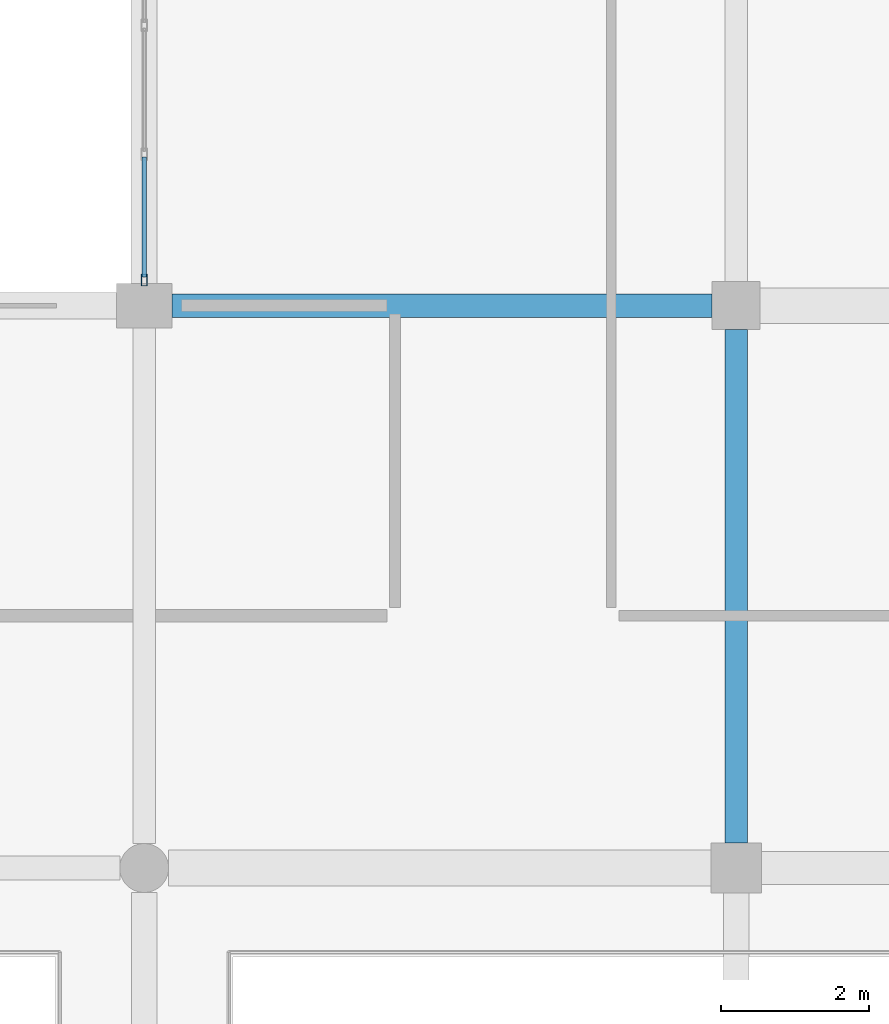
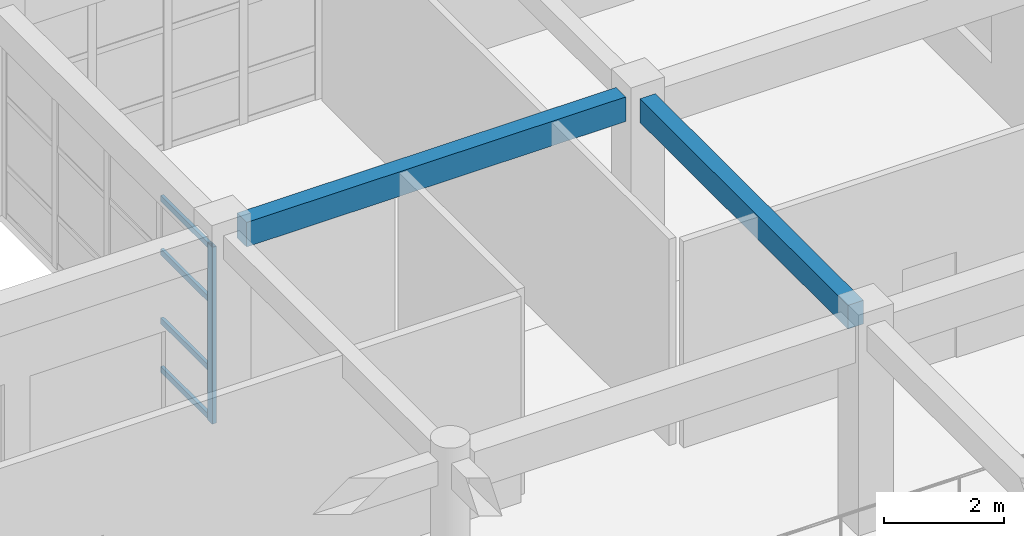
# One storey, part 46 of 160: 5 members, 2 beams, 1 element without a shape of its own.
"""IFC4 building model written with IfcOpenShell, lengths in metres."""

from ifc_helpers import new_model, si_unit, direction, frame, origin, origin_2d, place, context, subcontext, project, spatial, rectangle, hollow_rectangle, extrude, material, material_profile, profile_set, type_object, element, aggregate, save


model = new_model("IFC4")

# Units and contexts
model_context = context("Model", 3, precision=1e-05, world=origin(), true_north=direction((0.0, 1.0)))
body_context = subcontext(model_context, "Body", "Model", "MODEL_VIEW")
ifc_project = project(units=[si_unit("LENGTHUNIT", "METRE"), si_unit("AREAUNIT", "SQUARE_METRE"), si_unit("VOLUMEUNIT", "CUBIC_METRE"), si_unit("PLANEANGLEUNIT", "RADIAN"), si_unit("MASSUNIT", "GRAM", prefix="KILO")], contexts=[model_context])

# Site, building, storey
site_placement = place(None, origin())
site = spatial("IfcSite", under=ifc_project, at=site_placement, CompositionType="ELEMENT")
building_placement = place(site_placement, origin())
building = spatial("IfcBuilding", under=site, at=building_placement, Name="Kharva Crest Polytechnic", CompositionType="ELEMENT")
storey_placement = place(building_placement, frame((0.0, 0.0, 4.5)))
storey = spatial("IfcBuildingStorey", under=building, at=storey_placement, Name="L01", CompositionType="ELEMENT", Elevation=4.5)

# Beams
ifc_material_1 = material(Name="Concrete C35/45", Category="concrete")
ifc_material_profile_1 = material_profile(ifc_material_1, rectangle(XDim=0.300048828125, YDim=0.47998046875, at=origin_2d()), Name="RECT 300 X 480")
ifc_profile_set_1 = profile_set([ifc_material_profile_1], Name="Concrete C35/45")
beam_type_1 = type_object("IfcBeamType", Name="BM-RC-300X480", PredefinedType="BEAM", material=ifc_profile_set_1)
beam_1_placement = place(storey_placement, frame((40.0, 23.139892578125, 3.97998046875), z_axis=(0.0, 1.0, 0.0), x_axis=(-1.0, 0.0, 0.0)))
element("IfcBeam", 1, at=beam_1_placement, inside=storey, type_object=beam_type_1, Name="L01 Girder 6/D-E", PredefinedType="BEAM", context=body_context, shape_type="SweptSolid", body=[
    extrude(rectangle(XDim=0.300048828125, YDim=0.47998046875, at=origin_2d()), origin(), (0.0, 0.0, 1.0), 6.93505859375),
])
ifc_material_profile_2 = material_profile(ifc_material_1, rectangle(XDim=0.320068359375, YDim=0.5, at=origin_2d()), Name="RECT 320 X 500")
ifc_profile_set_2 = profile_set([ifc_material_profile_2], Name="Concrete C35/45")
beam_type_2 = type_object("IfcBeamType", Name="BM-RC-320X500", PredefinedType="BEAM", material=ifc_profile_set_2)
beam_2_placement = place(storey_placement, frame((32.375, 30.39990234375, 3.969970703125), z_axis=(1.0, 0.0, 0.0), x_axis=(0.0, 1.0, 0.0)))
element("IfcBeam", 2, at=beam_2_placement, inside=storey, type_object=beam_type_2, Name="L01 Beam E/5-6", PredefinedType="BEAM", context=body_context, shape_type="SweptSolid", body=[
    extrude(rectangle(XDim=0.320068359375, YDim=0.5, at=origin_2d()), origin(), (0.0, 0.0, 1.0), 7.300048828125),
])

# Curtain wall, members
ifc_material_2 = material(Name="Tempered insulated glass", Category="glass")
curtain_wall_type = type_object("IfcCurtainWallType", Name="CW-SYS-COURT", PredefinedType="USERDEFINED", material=ifc_material_2)
curtain_wall_placement = place(storey_placement, origin())
curtain_wall = element("IfcCurtainWall", 3, at=curtain_wall_placement, inside=storey, type_object=curtain_wall_type, Name="L01 Glazed Curtain Wall CW-037", ObjectType="CURTAIN WALL", PredefinedType="USERDEFINED")
ifc_material_3 = material(Name="Steel S355", Category="steel")
ifc_material_profile_3 = material_profile(ifc_material_3, hollow_rectangle(XDim=0.080078125, YDim=0.159912109375, WallThickness=0.0048828125, at=origin_2d()), Name="RHS 160X80X5.0")
ifc_profile_set_3 = profile_set([ifc_material_profile_3], Name="Steel S355")
member_type_1 = type_object("IfcMemberType", Name="CWM-RHS160X80", PredefinedType="MULLION", material=ifc_profile_set_3)
member_1_placement = place(storey_placement, frame((32.0, 30.7451171875, 0.0), z_axis=(0.0, 0.0, 1.0), x_axis=(1.0, 0.0, 0.0)))
member_1 = element("IfcMember", 4, at=member_1_placement, type_object=member_type_1, Name="CW-037 mullion 5", PredefinedType="MULLION", context=body_context, shape_type="SweptSolid", body=[
    extrude(hollow_rectangle(XDim=0.080078125, YDim=0.159912109375, WallThickness=0.0048828125, at=origin_2d()), origin(), (0.0, 0.0, 1.0), 3.60009765625),
])
ifc_material_profile_4 = material_profile(ifc_material_3, hollow_rectangle(XDim=0.06005859375, YDim=0.1201171875, WallThickness=0.00390625, at=origin_2d()), Name="RHS 120X60X4.0")
ifc_profile_set_4 = profile_set([ifc_material_profile_4], Name="Steel S355")
member_type_2 = type_object("IfcMemberType", Name="CWT-RHS120X60", PredefinedType="USERDEFINED", material=ifc_profile_set_4)
member_2_placement = place(storey_placement, frame((32.0, 32.40625, 0.06005859375), z_axis=(0.0, -1.0, 0.0), x_axis=(1.0, 0.0, 0.0)))
member_2 = element("IfcMember", 5, at=member_2_placement, type_object=member_type_2, Name="CW-037 transom 4.1", ObjectType="TRANSOM", PredefinedType="USERDEFINED", context=body_context, shape_type="SweptSolid", body=[
    extrude(hollow_rectangle(XDim=0.06005859375, YDim=0.1201171875, WallThickness=0.00390625, at=origin_2d()), origin(), (0.0, 0.0, 1.0), 1.621337890625),
])
member_3_placement = place(storey_placement, frame((32.0, 32.40625, 1.050048828125), z_axis=(0.0, -1.0, 0.0), x_axis=(1.0, 0.0, 0.0)))
member_3 = element("IfcMember", 6, at=member_3_placement, type_object=member_type_2, Name="CW-037 transom 4.2", ObjectType="TRANSOM", PredefinedType="USERDEFINED", context=body_context, shape_type="SweptSolid", body=[
    extrude(hollow_rectangle(XDim=0.06005859375, YDim=0.1201171875, WallThickness=0.00390625, at=origin_2d()), origin(), (0.0, 0.0, 1.0), 1.621337890625),
])
member_4_placement = place(storey_placement, frame((32.0, 32.40625, 2.449951171875), z_axis=(0.0, -1.0, 0.0), x_axis=(1.0, 0.0, 0.0)))
member_4 = element("IfcMember", 7, at=member_4_placement, type_object=member_type_2, Name="CW-037 transom 4.3", ObjectType="TRANSOM", PredefinedType="USERDEFINED", context=body_context, shape_type="SweptSolid", body=[
    extrude(hollow_rectangle(XDim=0.06005859375, YDim=0.1201171875, WallThickness=0.00390625, at=origin_2d()), origin(), (0.0, 0.0, 1.0), 1.621337890625),
])
member_5_placement = place(storey_placement, frame((32.0, 32.40625, 3.5400390625), z_axis=(0.0, -1.0, 0.0), x_axis=(1.0, 0.0, 0.0)))
member_5 = element("IfcMember", 8, at=member_5_placement, type_object=member_type_2, Name="CW-037 transom 4.4", ObjectType="TRANSOM", PredefinedType="USERDEFINED", context=body_context, shape_type="SweptSolid", body=[
    extrude(hollow_rectangle(XDim=0.06005859375, YDim=0.1201171875, WallThickness=0.00390625, at=origin_2d()), origin(), (0.0, 0.0, 1.0), 1.621337890625),
])
aggregate(curtain_wall, [member_1, member_2, member_3, member_4, member_5])

save(model, "model.ifc")
